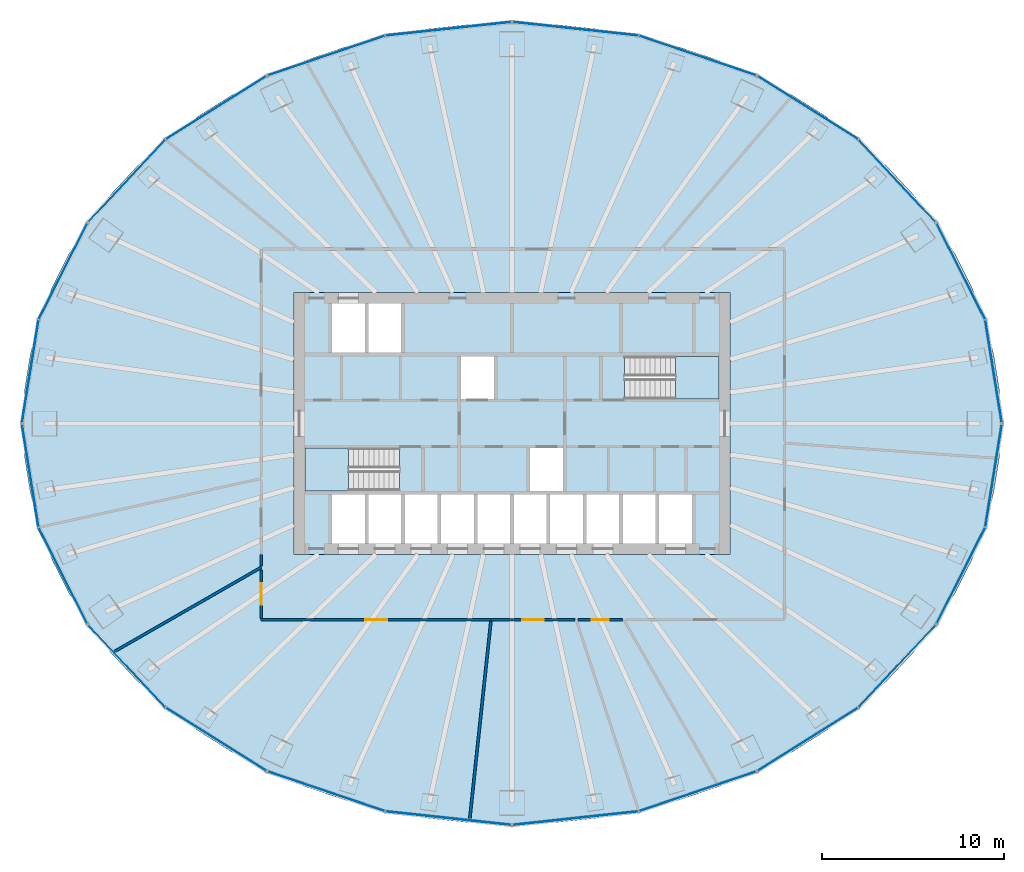
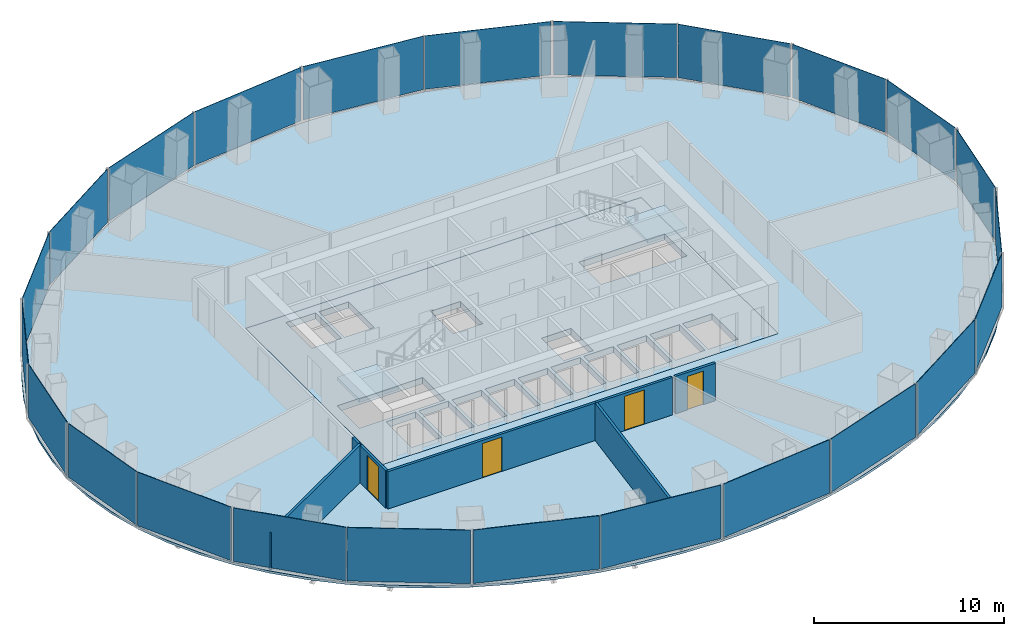
# One storey, part 7 of 11: 24 plates, 7 walls, 4 doors, 4 slabs, 4 openings, 14 elements without a shape of their own.
"""IFC4 building model written with IfcOpenShell, lengths in metres."""

from ifc_helpers import new_model, si_unit, direction, frame, frame_2d, origin, origin_2d, place, context, subcontext, project, spatial, polyline, rectangle, outline, extrude, material, layer, layer_set, type_object, element, fill, aggregate, save


model = new_model("IFC4")

# Units and contexts
model_context = context("Model", 3, precision=1e-05, world=origin(), true_north=direction((0.0, 1.0)))
body_context = subcontext(model_context, "Body", "Model", "MODEL_VIEW")
ifc_project = project(units=[si_unit("LENGTHUNIT", "METRE"), si_unit("AREAUNIT", "SQUARE_METRE"), si_unit("VOLUMEUNIT", "CUBIC_METRE"), si_unit("PLANEANGLEUNIT", "RADIAN"), si_unit("MASSUNIT", "GRAM", prefix="KILO")], contexts=[model_context])

# Site, building, storey
site_placement = place(None, origin())
site = spatial("IfcSite", under=ifc_project, at=site_placement, CompositionType="ELEMENT")
building_placement = place(site_placement, origin())
building = spatial("IfcBuilding", under=site, at=building_placement, Name="Siaravel Broadcast Tower", CompositionType="ELEMENT")
storey_placement = place(building_placement, frame((0.0, 0.0, 77.800048828125)))
storey = spatial("IfcBuildingStorey", under=building, at=storey_placement, Name="L18", CompositionType="ELEMENT", Elevation=77.800048828125)

# Curtain wall, plates
ifc_material_1 = material(Name="Aluminium 6063-T6", Category="aluminium")
ifc_layer_1 = layer(ifc_material_1, 0.219970703125)
ifc_layer_set_1 = layer_set([ifc_layer_1], Name="Aluminium 6063-T6")
curtain_wall_type = type_object("IfcCurtainWallType", Name="Unitised curtain wall, zone 1", PredefinedType="NOTDEFINED", material=ifc_layer_set_1)
curtain_wall_1_placement = place(storey_placement, origin())
curtain_wall_1 = element("IfcCurtainWall", 1, at=curtain_wall_1_placement, inside=storey, type_object=curtain_wall_type, Name="L18 Unitised curtain wall, zone 1 01", PredefinedType="NOTDEFINED")
ifc_material_2 = material(Name="Tinted laminated glass", Category="glass")
ifc_layer_2 = layer(ifc_material_2, 0.031982421875)
ifc_layer_set_2 = layer_set([ifc_layer_2], Name="Tinted laminated glass")
plate_type = type_object("IfcPlateType", Name="CW-Z1 glass panel", PredefinedType="CURTAIN_PANEL", material=ifc_layer_set_2)
plate_1_placement = place(storey_placement, frame((26.501220703125, 2.8779296875, 0.1201171875), z_axis=(0.0, 0.0, 1.0), x_axis=(-0.158685468, 0.987329186, 0.0)))
plate_1 = element("IfcPlate", 2, at=plate_1_placement, type_object=plate_type, Name="CW-Z1 glass panel", PredefinedType="CURTAIN_PANEL", context=body_context, shape_type="SweptSolid", body=[
    extrude(rectangle(XDim=5.689697265625, YDim=0.031982421875, at=origin_2d()), origin(), (0.0, 0.0, 1.0), 3.429931640625),
])
plate_2_placement = place(storey_placement, frame((24.704345703125, 8.370849609375, 0.1201171875), z_axis=(0.0, 0.0, 1.0), x_axis=(-0.451260668, 0.892392184, 0.0)))
plate_2 = element("IfcPlate", 3, at=plate_2_placement, type_object=plate_type, Name="CW-Z1 glass panel", PredefinedType="CURTAIN_PANEL", context=body_context, shape_type="SweptSolid", body=[
    extrude(rectangle(XDim=5.867919921875, YDim=0.031982421875, at=origin_2d()), origin(), (0.0, 0.0, 1.0), 3.429931640625),
])
aggregate(curtain_wall_1, [plate_1, plate_2])

curtain_wall_2_placement = place(storey_placement, origin())
curtain_wall_2 = element("IfcCurtainWall", 4, at=curtain_wall_2_placement, inside=storey, type_object=curtain_wall_type, Name="L18 Unitised curtain wall, zone 1 02", PredefinedType="NOTDEFINED")
plate_3_placement = place(storey_placement, frame((21.193603515625, 13.35205078125, 0.1201171875), z_axis=(0.0, 0.0, 1.0), x_axis=(-0.683654746, 0.729805583, 0.0)))
plate_3 = element("IfcPlate", 5, at=plate_3_placement, type_object=plate_type, Name="CW-Z1 glass panel", PredefinedType="CURTAIN_PANEL", context=body_context, shape_type="SweptSolid", body=[
    extrude(rectangle(XDim=6.16455078125, YDim=0.031982421875, at=origin_2d()), origin(), (0.0, 0.0, 1.0), 3.429931640625),
])
plate_4_placement = place(storey_placement, frame((16.28515625, 17.372802734375, 0.1201171875), z_axis=(0.0, 0.0, 1.0), x_axis=(-0.846650242, 0.532149761, 0.0)))
plate_4 = element("IfcPlate", 6, at=plate_4_placement, type_object=plate_type, Name="CW-Z1 glass panel", PredefinedType="CURTAIN_PANEL", context=body_context, shape_type="SweptSolid", body=[
    extrude(rectangle(XDim=6.49072265625, YDim=0.031982421875, at=origin_2d()), origin(), (0.0, 0.0, 1.0), 3.429931640625),
])
aggregate(curtain_wall_2, [plate_3, plate_4])

curtain_wall_3_placement = place(storey_placement, origin())
curtain_wall_3 = element("IfcCurtainWall", 7, at=curtain_wall_3_placement, inside=storey, type_object=curtain_wall_type, Name="L18 Unitised curtain wall, zone 1 03", PredefinedType="NOTDEFINED")
plate_5_placement = place(storey_placement, frame((10.210693359375, 20.24560546875, 0.1201171875), z_axis=(0.0, 0.0, 1.0), x_axis=(-0.946977085, 0.321301105, 0.0)))
plate_5 = element("IfcPlate", 8, at=plate_5_placement, type_object=plate_type, Name="CW-Z1 glass panel", PredefinedType="CURTAIN_PANEL", context=body_context, shape_type="SweptSolid", body=[
    extrude(rectangle(XDim=6.7607421875, YDim=0.031982421875, at=origin_2d()), origin(), (0.0, 0.0, 1.0), 3.429931640625),
])
plate_6_placement = place(storey_placement, frame((3.505615234375, 21.71728515625, 0.1201171875), z_axis=(0.0, 0.0, 1.0), x_axis=(-0.99423557, 0.107217679, 0.0)))
plate_6 = element("IfcPlate", 9, at=plate_6_placement, type_object=plate_type, Name="CW-Z1 glass panel", PredefinedType="CURTAIN_PANEL", context=body_context, shape_type="SweptSolid", body=[
    extrude(rectangle(XDim=6.911865234375, YDim=0.031982421875, at=origin_2d()), origin(), (0.0, 0.0, 1.0), 3.429931640625),
])
aggregate(curtain_wall_3, [plate_5, plate_6])

curtain_wall_4_placement = place(storey_placement, origin())
curtain_wall_4 = element("IfcCurtainWall", 10, at=curtain_wall_4_placement, inside=storey, type_object=curtain_wall_type, Name="L18 Unitised curtain wall, zone 1 04", PredefinedType="NOTDEFINED")
plate_7_placement = place(storey_placement, frame((-3.505615234375, 21.71728515625, 0.1201171875), z_axis=(0.0, 0.0, 1.0), x_axis=(-0.99423557, -0.107217679, 0.0)))
plate_7 = element("IfcPlate", 11, at=plate_7_placement, type_object=plate_type, Name="CW-Z1 glass panel", PredefinedType="CURTAIN_PANEL", context=body_context, shape_type="SweptSolid", body=[
    extrude(rectangle(XDim=6.911865234375, YDim=0.031982421875, at=origin_2d()), origin(), (0.0, 0.0, 1.0), 3.429931640625),
])
plate_8_placement = place(storey_placement, frame((-10.210693359375, 20.24560546875, 0.1201171875), z_axis=(0.0, 0.0, 1.0), x_axis=(-0.946977085, -0.321301105, 0.0)))
plate_8 = element("IfcPlate", 12, at=plate_8_placement, type_object=plate_type, Name="CW-Z1 glass panel", PredefinedType="CURTAIN_PANEL", context=body_context, shape_type="SweptSolid", body=[
    extrude(rectangle(XDim=6.7607421875, YDim=0.031982421875, at=origin_2d()), origin(), (0.0, 0.0, 1.0), 3.429931640625),
])
aggregate(curtain_wall_4, [plate_7, plate_8])

curtain_wall_5_placement = place(storey_placement, origin())
curtain_wall_5 = element("IfcCurtainWall", 13, at=curtain_wall_5_placement, inside=storey, type_object=curtain_wall_type, Name="L18 Unitised curtain wall, zone 1 05", PredefinedType="NOTDEFINED")
plate_9_placement = place(storey_placement, frame((-16.28515625, 17.372802734375, 0.1201171875), z_axis=(0.0, 0.0, 1.0), x_axis=(-0.846650242, -0.532149761, 0.0)))
plate_9 = element("IfcPlate", 14, at=plate_9_placement, type_object=plate_type, Name="CW-Z1 glass panel", PredefinedType="CURTAIN_PANEL", context=body_context, shape_type="SweptSolid", body=[
    extrude(rectangle(XDim=6.49072265625, YDim=0.031982421875, at=origin_2d()), origin(), (0.0, 0.0, 1.0), 3.429931640625),
])
plate_10_placement = place(storey_placement, frame((-21.193603515625, 13.35205078125, 0.1201171875), z_axis=(0.0, 0.0, 1.0), x_axis=(-0.683654746, -0.729805583, 0.0)))
plate_10 = element("IfcPlate", 15, at=plate_10_placement, type_object=plate_type, Name="CW-Z1 glass panel", PredefinedType="CURTAIN_PANEL", context=body_context, shape_type="SweptSolid", body=[
    extrude(rectangle(XDim=6.16455078125, YDim=0.031982421875, at=origin_2d()), origin(), (0.0, 0.0, 1.0), 3.429931640625),
])
aggregate(curtain_wall_5, [plate_9, plate_10])

curtain_wall_6_placement = place(storey_placement, origin())
curtain_wall_6 = element("IfcCurtainWall", 16, at=curtain_wall_6_placement, inside=storey, type_object=curtain_wall_type, Name="L18 Unitised curtain wall, zone 1 06", PredefinedType="NOTDEFINED")
plate_11_placement = place(storey_placement, frame((-24.704345703125, 8.370849609375, 0.1201171875), z_axis=(0.0, 0.0, 1.0), x_axis=(-0.451260668, -0.892392184, 0.0)))
plate_11 = element("IfcPlate", 17, at=plate_11_placement, type_object=plate_type, Name="CW-Z1 glass panel", PredefinedType="CURTAIN_PANEL", context=body_context, shape_type="SweptSolid", body=[
    extrude(rectangle(XDim=5.867919921875, YDim=0.031982421875, at=origin_2d()), origin(), (0.0, 0.0, 1.0), 3.429931640625),
])
plate_12_placement = place(storey_placement, frame((-26.501220703125, 2.8779296875, 0.1201171875), z_axis=(0.0, 0.0, 1.0), x_axis=(-0.158685468, -0.987329186, 0.0)))
plate_12 = element("IfcPlate", 18, at=plate_12_placement, type_object=plate_type, Name="CW-Z1 glass panel", PredefinedType="CURTAIN_PANEL", context=body_context, shape_type="SweptSolid", body=[
    extrude(rectangle(XDim=5.689697265625, YDim=0.031982421875, at=origin_2d()), origin(), (0.0, 0.0, 1.0), 3.429931640625),
])
aggregate(curtain_wall_6, [plate_11, plate_12])

curtain_wall_7_placement = place(storey_placement, origin())
curtain_wall_7 = element("IfcCurtainWall", 19, at=curtain_wall_7_placement, inside=storey, type_object=curtain_wall_type, Name="L18 Unitised curtain wall, zone 1 07", PredefinedType="NOTDEFINED")
plate_13_placement = place(storey_placement, frame((-26.501220703125, -2.8779296875, 0.1201171875), z_axis=(0.0, 0.0, 1.0), x_axis=(0.158685468, -0.987329186, 0.0)))
plate_13 = element("IfcPlate", 20, at=plate_13_placement, type_object=plate_type, Name="CW-Z1 glass panel", PredefinedType="CURTAIN_PANEL", context=body_context, shape_type="SweptSolid", body=[
    extrude(rectangle(XDim=5.689697265625, YDim=0.031982421875, at=origin_2d()), origin(), (0.0, 0.0, 1.0), 3.429931640625),
])
plate_14_placement = place(storey_placement, frame((-24.704345703125, -8.370849609375, 0.1201171875), z_axis=(0.0, 0.0, 1.0), x_axis=(0.451260668, -0.892392184, 0.0)))
plate_14 = element("IfcPlate", 21, at=plate_14_placement, type_object=plate_type, Name="CW-Z1 glass panel", PredefinedType="CURTAIN_PANEL", context=body_context, shape_type="SweptSolid", body=[
    extrude(rectangle(XDim=5.867919921875, YDim=0.031982421875, at=origin_2d()), origin(), (0.0, 0.0, 1.0), 3.429931640625),
])
aggregate(curtain_wall_7, [plate_13, plate_14])

curtain_wall_8_placement = place(storey_placement, origin())
curtain_wall_8 = element("IfcCurtainWall", 22, at=curtain_wall_8_placement, inside=storey, type_object=curtain_wall_type, Name="L18 Unitised curtain wall, zone 1 08", PredefinedType="NOTDEFINED")
plate_15_placement = place(storey_placement, frame((-21.193603515625, -13.35205078125, 0.1201171875), z_axis=(0.0, 0.0, 1.0), x_axis=(0.683654746, -0.729805583, 0.0)))
plate_15 = element("IfcPlate", 23, at=plate_15_placement, type_object=plate_type, Name="CW-Z1 glass panel", PredefinedType="CURTAIN_PANEL", context=body_context, shape_type="SweptSolid", body=[
    extrude(rectangle(XDim=6.16455078125, YDim=0.031982421875, at=origin_2d()), origin(), (0.0, 0.0, 1.0), 3.429931640625),
])
plate_16_placement = place(storey_placement, frame((-16.28515625, -17.372802734375, 0.1201171875), z_axis=(0.0, 0.0, 1.0), x_axis=(0.846650242, -0.532149761, 0.0)))
plate_16 = element("IfcPlate", 24, at=plate_16_placement, type_object=plate_type, Name="CW-Z1 glass panel", PredefinedType="CURTAIN_PANEL", context=body_context, shape_type="SweptSolid", body=[
    extrude(rectangle(XDim=6.49072265625, YDim=0.031982421875, at=origin_2d()), origin(), (0.0, 0.0, 1.0), 3.429931640625),
])
aggregate(curtain_wall_8, [plate_15, plate_16])

curtain_wall_9_placement = place(storey_placement, origin())
curtain_wall_9 = element("IfcCurtainWall", 25, at=curtain_wall_9_placement, inside=storey, type_object=curtain_wall_type, Name="L18 Unitised curtain wall, zone 1 09", PredefinedType="NOTDEFINED")
plate_17_placement = place(storey_placement, frame((-10.210693359375, -20.24560546875, 0.1201171875), z_axis=(0.0, 0.0, 1.0), x_axis=(0.946977085, -0.321301105, 0.0)))
plate_17 = element("IfcPlate", 26, at=plate_17_placement, type_object=plate_type, Name="CW-Z1 glass panel", PredefinedType="CURTAIN_PANEL", context=body_context, shape_type="SweptSolid", body=[
    extrude(rectangle(XDim=6.7607421875, YDim=0.031982421875, at=origin_2d()), origin(), (0.0, 0.0, 1.0), 3.429931640625),
])
plate_18_placement = place(storey_placement, frame((-3.505615234375, -21.71728515625, 0.1201171875), z_axis=(0.0, 0.0, 1.0), x_axis=(0.99423557, -0.107217679, 0.0)))
plate_18 = element("IfcPlate", 27, at=plate_18_placement, type_object=plate_type, Name="CW-Z1 glass panel", PredefinedType="CURTAIN_PANEL", context=body_context, shape_type="SweptSolid", body=[
    extrude(rectangle(XDim=6.911865234375, YDim=0.031982421875, at=origin_2d()), origin(), (0.0, 0.0, 1.0), 3.429931640625),
])
aggregate(curtain_wall_9, [plate_17, plate_18])

curtain_wall_10_placement = place(storey_placement, origin())
curtain_wall_10 = element("IfcCurtainWall", 28, at=curtain_wall_10_placement, inside=storey, type_object=curtain_wall_type, Name="L18 Unitised curtain wall, zone 1 10", PredefinedType="NOTDEFINED")
plate_19_placement = place(storey_placement, frame((3.505615234375, -21.71728515625, 0.1201171875), z_axis=(0.0, 0.0, 1.0), x_axis=(0.99423557, 0.107217679, 0.0)))
plate_19 = element("IfcPlate", 29, at=plate_19_placement, type_object=plate_type, Name="CW-Z1 glass panel", PredefinedType="CURTAIN_PANEL", context=body_context, shape_type="SweptSolid", body=[
    extrude(rectangle(XDim=6.911865234375, YDim=0.031982421875, at=origin_2d()), origin(), (0.0, 0.0, 1.0), 3.429931640625),
])
plate_20_placement = place(storey_placement, frame((10.210693359375, -20.24560546875, 0.1201171875), z_axis=(0.0, 0.0, 1.0), x_axis=(0.946977085, 0.321301105, 0.0)))
plate_20 = element("IfcPlate", 30, at=plate_20_placement, type_object=plate_type, Name="CW-Z1 glass panel", PredefinedType="CURTAIN_PANEL", context=body_context, shape_type="SweptSolid", body=[
    extrude(rectangle(XDim=6.7607421875, YDim=0.031982421875, at=origin_2d()), origin(), (0.0, 0.0, 1.0), 3.429931640625),
])
aggregate(curtain_wall_10, [plate_19, plate_20])

curtain_wall_11_placement = place(storey_placement, origin())
curtain_wall_11 = element("IfcCurtainWall", 31, at=curtain_wall_11_placement, inside=storey, type_object=curtain_wall_type, Name="L18 Unitised curtain wall, zone 1 11", PredefinedType="NOTDEFINED")
plate_21_placement = place(storey_placement, frame((16.28515625, -17.372802734375, 0.1201171875), z_axis=(0.0, 0.0, 1.0), x_axis=(0.846650242, 0.532149761, 0.0)))
plate_21 = element("IfcPlate", 32, at=plate_21_placement, type_object=plate_type, Name="CW-Z1 glass panel", PredefinedType="CURTAIN_PANEL", context=body_context, shape_type="SweptSolid", body=[
    extrude(rectangle(XDim=6.49072265625, YDim=0.031982421875, at=origin_2d()), origin(), (0.0, 0.0, 1.0), 3.429931640625),
])
plate_22_placement = place(storey_placement, frame((21.193603515625, -13.35205078125, 0.1201171875), z_axis=(0.0, 0.0, 1.0), x_axis=(0.683654746, 0.729805583, 0.0)))
plate_22 = element("IfcPlate", 33, at=plate_22_placement, type_object=plate_type, Name="CW-Z1 glass panel", PredefinedType="CURTAIN_PANEL", context=body_context, shape_type="SweptSolid", body=[
    extrude(rectangle(XDim=6.16455078125, YDim=0.031982421875, at=origin_2d()), origin(), (0.0, 0.0, 1.0), 3.429931640625),
])
aggregate(curtain_wall_11, [plate_21, plate_22])

curtain_wall_12_placement = place(storey_placement, origin())
curtain_wall_12 = element("IfcCurtainWall", 34, at=curtain_wall_12_placement, inside=storey, type_object=curtain_wall_type, Name="L18 Unitised curtain wall, zone 1 12", PredefinedType="NOTDEFINED")
plate_23_placement = place(storey_placement, frame((24.704345703125, -8.370849609375, 0.1201171875), z_axis=(0.0, 0.0, 1.0), x_axis=(0.451260668, 0.892392184, 0.0)))
plate_23 = element("IfcPlate", 35, at=plate_23_placement, type_object=plate_type, Name="CW-Z1 glass panel", PredefinedType="CURTAIN_PANEL", context=body_context, shape_type="SweptSolid", body=[
    extrude(rectangle(XDim=5.867919921875, YDim=0.031982421875, at=origin_2d()), origin(), (0.0, 0.0, 1.0), 3.429931640625),
])
plate_24_placement = place(storey_placement, frame((26.501220703125, -2.8779296875, 0.1201171875), z_axis=(0.0, 0.0, 1.0), x_axis=(0.158685468, 0.987329186, 0.0)))
plate_24 = element("IfcPlate", 36, at=plate_24_placement, type_object=plate_type, Name="CW-Z1 glass panel", PredefinedType="CURTAIN_PANEL", context=body_context, shape_type="SweptSolid", body=[
    extrude(rectangle(XDim=5.689697265625, YDim=0.031982421875, at=origin_2d()), origin(), (0.0, 0.0, 1.0), 3.429931640625),
])
aggregate(curtain_wall_12, [plate_23, plate_24])

# Slabs
ifc_material_3 = material(Name="Concrete C40/50", Category="concrete")
ifc_layer_3 = layer(ifc_material_3, 0.39990234375)
ifc_layer_set_3 = layer_set([ifc_layer_3], Name="Concrete C40/50")
slab_type_1 = type_object("IfcSlabType", Name="Core floor slab 400", PredefinedType="FLOOR", material=ifc_layer_set_3)
slab_1_placement = place(storey_placement, frame((0.0, 0.0, -0.400146484375)))
element("IfcSlab", 37, at=slab_1_placement, inside=storey, type_object=slab_type_1, Name="L18 core floor", PredefinedType="FLOOR", context=body_context, shape_type="SweptSolid", body=[
    extrude(outline(polyline([(-12.0, -7.199951171875), (-12.0, 7.199951171875), (12.0, 7.199951171875), (12.0, -7.199951171875), (-12.0, -7.199951171875)]), holes=[polyline([(11.3994140625, 1.3505859375), (11.3994140625, 3.699462890625), (6.200439453125, 3.699462890625), (6.200439453125, 1.3505859375), (11.3994140625, 1.3505859375)]), polyline([(9.89990234375, -3.89990234375), (8.10009765625, -3.89990234375), (8.10009765625, -6.60009765625), (9.89990234375, -6.60009765625), (9.89990234375, -3.89990234375)]), polyline([(7.89990234375, -3.89990234375), (6.10009765625, -3.89990234375), (6.10009765625, -6.60009765625), (7.89990234375, -6.60009765625), (7.89990234375, -3.89990234375)]), polyline([(5.89990234375, -3.89990234375), (4.10009765625, -3.89990234375), (4.10009765625, -6.60009765625), (5.89990234375, -6.60009765625), (5.89990234375, -3.89990234375)]), polyline([(3.89990234375, -3.89990234375), (2.10009765625, -3.89990234375), (2.10009765625, -6.60009765625), (3.89990234375, -6.60009765625), (3.89990234375, -3.89990234375)]), polyline([(2.800048828125, -1.35009765625), (1.0, -1.35009765625), (1.0, -3.699951171875), (2.800048828125, -3.699951171875), (2.800048828125, -1.35009765625)]), polyline([(1.89990234375, -3.89990234375), (0.10009765625, -3.89990234375), (0.10009765625, -6.60009765625), (1.89990234375, -6.60009765625), (1.89990234375, -3.89990234375)]), polyline([(-0.10009765625, -3.89990234375), (-1.89990234375, -3.89990234375), (-1.89990234375, -6.60009765625), (-0.10009765625, -6.60009765625), (-0.10009765625, -3.89990234375)]), polyline([(-1.0, 3.699951171875), (-2.800048828125, 3.699951171875), (-2.800048828125, 1.35009765625), (-1.0, 1.35009765625), (-1.0, 3.699951171875)]), polyline([(-2.10009765625, -3.89990234375), (-3.89990234375, -3.89990234375), (-3.89990234375, -6.60009765625), (-2.10009765625, -6.60009765625), (-2.10009765625, -3.89990234375)]), polyline([(-4.10009765625, -3.89990234375), (-5.89990234375, -3.89990234375), (-5.89990234375, -6.60009765625), (-4.10009765625, -6.60009765625), (-4.10009765625, -3.89990234375)]), polyline([(-6.10009765625, -3.89990234375), (-7.89990234375, -3.89990234375), (-7.89990234375, -6.60009765625), (-6.10009765625, -6.60009765625), (-6.10009765625, -3.89990234375)]), polyline([(-6.10009765625, 6.60009765625), (-7.89990234375, 6.60009765625), (-7.89990234375, 3.89990234375), (-6.10009765625, 3.89990234375), (-6.10009765625, 6.60009765625)]), polyline([(-11.3994140625, -1.3505859375), (-11.3994140625, -3.699462890625), (-6.200439453125, -3.699462890625), (-6.200439453125, -1.3505859375), (-11.3994140625, -1.3505859375)]), polyline([(-8.10009765625, -3.89990234375), (-9.89990234375, -3.89990234375), (-9.89990234375, -6.60009765625), (-8.10009765625, -6.60009765625), (-8.10009765625, -3.89990234375)]), polyline([(-8.10009765625, 6.60009765625), (-9.89990234375, 6.60009765625), (-9.89990234375, 3.89990234375), (-8.10009765625, 3.89990234375), (-8.10009765625, 6.60009765625)])]), origin(), (0.0, 0.0, 1.0), 0.400146484375),
])
ifc_layer_4 = layer(ifc_material_3, 0.14990234375)
ifc_layer_set_4 = layer_set([ifc_layer_4], Name="Concrete C40/50")
slab_type_2 = type_object("IfcSlabType", Name="SLB-FLOOR-150", PredefinedType="FLOOR", material=ifc_layer_set_4)
slab_2_placement = place(storey_placement, frame((0.0, 0.0, -0.150146484375)))
element("IfcSlab", 38, at=slab_2_placement, inside=storey, type_object=slab_type_2, Name="Floor slab", PredefinedType="FLOOR", context=body_context, shape_type="SweptSolid", body=[
    extrude(outline(polyline([(26.91357421875, 0.0), (26.811279296875, 1.92138671875), (26.504638671875, 3.828125), (25.99658203125, 5.705810546875), (25.29052734375, 7.539794921875), (24.39208984375, 9.316650390625), (23.307861328125, 11.022705078125), (22.04638671875, 12.644775390625), (20.616943359375, 14.17041015625), (19.03076171875, 15.58837890625), (17.2998046875, 16.8876953125), (15.43701171875, 18.05859375), (13.456787109375, 19.091796875), (11.374267578125, 19.979736328125), (9.205078125, 20.7158203125), (6.9658203125, 21.294189453125), (4.673583984375, 21.71044921875), (2.345703125, 21.96142578125), (0.0, 22.04541015625), (-2.345703125, 21.96142578125), (-4.673583984375, 21.71044921875), (-6.9658203125, 21.294189453125), (-9.205078125, 20.7158203125), (-11.374267578125, 19.979736328125), (-13.456787109375, 19.091796875), (-15.43701171875, 18.05859375), (-17.2998046875, 16.8876953125), (-19.03076171875, 15.58837890625), (-20.616943359375, 14.17041015625), (-22.04638671875, 12.644775390625), (-23.307861328125, 11.022705078125), (-24.39208984375, 9.316650390625), (-25.29052734375, 7.539794921875), (-25.99658203125, 5.705810546875), (-26.504638671875, 3.828125), (-26.811279296875, 1.92138671875), (-26.91357421875, 0.0), (-26.811279296875, -1.92138671875), (-26.504638671875, -3.828125), (-25.99658203125, -5.705810546875), (-25.29052734375, -7.539794921875), (-24.39208984375, -9.316650390625), (-23.307861328125, -11.022705078125), (-22.04638671875, -12.644775390625), (-20.616943359375, -14.17041015625), (-19.03076171875, -15.58837890625), (-17.2998046875, -16.8876953125), (-15.43701171875, -18.05859375), (-13.456787109375, -19.091796875), (-11.374267578125, -19.979736328125), (-9.205078125, -20.7158203125), (-6.9658203125, -21.294189453125), (-4.673583984375, -21.71044921875), (-2.345703125, -21.96142578125), (0.0, -22.04541015625), (2.345703125, -21.96142578125), (4.673583984375, -21.71044921875), (6.9658203125, -21.294189453125), (9.205078125, -20.7158203125), (11.374267578125, -19.979736328125), (13.456787109375, -19.091796875), (15.43701171875, -18.05859375), (17.2998046875, -16.8876953125), (19.03076171875, -15.58837890625), (20.616943359375, -14.17041015625), (22.04638671875, -12.644775390625), (23.307861328125, -11.022705078125), (24.39208984375, -9.316650390625), (25.29052734375, -7.539794921875), (25.99658203125, -5.705810546875), (26.504638671875, -3.828125), (26.811279296875, -1.92138671875), (26.91357421875, 0.0)]), holes=[polyline([(-12.0, 7.199951171875), (12.0, 7.199951171875), (12.0, -7.199951171875), (-12.0, -7.199951171875), (-12.0, 7.199951171875)])]), origin(), (0.0, 0.0, 1.0), 0.150146484375),
])

# Stair, slab
stair_type = type_object("IfcStairType", Name="Core exit stair", PredefinedType="HALF_TURN_STAIR", material=ifc_material_3)
stair_1_placement = place(storey_placement, origin())
stair_1 = element("IfcStair", 39, at=stair_1_placement, inside=storey, type_object=stair_type, Name="L18 Exit stair ST-1", PredefinedType="HALF_TURN_STAIR")
ifc_layer_5 = layer(ifc_material_3, 0.199951171875)
ifc_layer_set_5 = layer_set([ifc_layer_5], Name="Concrete C40/50")
slab_type_3 = type_object("IfcSlabType", Name="Stair landing", PredefinedType="LANDING", material=ifc_layer_set_5)
slab_3_placement = place(storey_placement, frame((0.0, 0.0, 1.64990234375)))
slab_3 = element("IfcSlab", 40, at=slab_3_placement, type_object=slab_type_3, Name="ST-1 landing 1", PredefinedType="LANDING", context=body_context, shape_type="SweptSolid", body=[
    extrude(outline(polyline([(-9.0, -1.35009765625), (-11.39990234375, -1.35009765625), (-11.39990234375, -3.699951171875), (-9.0, -3.699951171875), (-9.0, -1.35009765625)])), origin(), (0.0, 0.0, 1.0), 0.199951171875),
])
aggregate(stair_1, [slab_3])

stair_2_placement = place(storey_placement, origin())
stair_2 = element("IfcStair", 41, at=stair_2_placement, inside=storey, type_object=stair_type, Name="L18 Exit stair ST-2", PredefinedType="HALF_TURN_STAIR")
slab_4_placement = place(storey_placement, frame((0.0, 0.0, 1.64990234375)))
slab_4 = element("IfcSlab", 42, at=slab_4_placement, type_object=slab_type_3, Name="ST-2 landing 1", PredefinedType="LANDING", context=body_context, shape_type="SweptSolid", body=[
    extrude(outline(polyline([(9.0, 1.35009765625), (11.39990234375, 1.35009765625), (11.39990234375, 3.699951171875), (9.0, 3.699951171875), (9.0, 1.35009765625)])), origin(), (0.0, 0.0, 1.0), 0.199951171875),
])
aggregate(stair_2, [slab_4])

# Wall, opening, door
ifc_material_4 = material(Name="Gypsum board partition", Category="gypsum")
ifc_layer_6 = layer(ifc_material_4, 0.14990234375)
ifc_layer_set_6 = layer_set([ifc_layer_6], Name="Gypsum board partition")
wall_type_1 = type_object("IfcWallType", Name="Corridor wall 150", PredefinedType="PARTITIONING", material=ifc_layer_set_6)
wall_1_placement = place(storey_placement, frame((-13.800048828125, -10.800048828125, 0.0), z_axis=(0.0, 0.0, 1.0), x_axis=(1.0, 0.0, 0.0)))
wall_1 = element("IfcWall", 43, at=wall_1_placement, inside=storey, type_object=wall_type_1, Name="L18 partition 2", PredefinedType="PARTITIONING", context=body_context, shape_type="SweptSolid", body=[
    extrude(rectangle(XDim=12.646484375, YDim=0.14990234375, at=frame_2d((6.3232421875, 0.0))), origin(), (0.0, 0.0, 1.0), 2.39990234375),
])
opening_1_placement = place(wall_1_placement, frame((5.72314453125, 0.0, 0.0)))
opening_1 = element("IfcOpeningElement", 44, at=opening_1_placement, cuts=wall_1, Name="Opening L18-010", PredefinedType="OPENING", context=body_context, shape_type="SweptSolid", body=[
    extrude(rectangle(XDim=1.199951171875, YDim=2.199951171875, at=frame_2d((0.60009765625, 1.10009765625))), frame((0.0, 0.0849609375, 0.0), z_axis=(0.0, -1.0, 0.0), x_axis=(1.0, 0.0, 0.0)), (0.0, 0.0, 1.0), 0.169921875),
])
ifc_material_5 = material(Name="Timber veneer", Category="wood")
door_type_1 = type_object("IfcDoorType", Name="Office double door 1200", OperationType="DOUBLE_DOOR_SINGLE_SWING", PredefinedType="DOOR", material=ifc_material_5)
door_1_placement = place(opening_1_placement, origin())
door_1 = element("IfcDoor", 45, at=door_1_placement, inside=storey, type_object=door_type_1, Name="L18 door to Open plan newsroom", OperationType="DOUBLE_DOOR_SINGLE_SWING", OverallHeight=2.199951171875, OverallWidth=1.199951171875, PredefinedType="DOOR", context=body_context, shape_type="SweptSolid", body=[
    extrude(rectangle(XDim=1.199951171875, YDim=2.199951171875, at=frame_2d((0.60009765625, 1.10009765625))), frame((0.0, 0.02490234375, 0.0), z_axis=(0.0, -1.0, 0.0), x_axis=(1.0, 0.0, 0.0)), (0.0, 0.0, 1.0), 0.050048828125),
])
fill(opening_1, door_1)

wall_2_placement = place(storey_placement, frame((-1.152587890625, -10.800048828125, 0.0), z_axis=(0.0, 0.0, 1.0), x_axis=(1.0, 0.0, 0.0)))
wall_2 = element("IfcWall", 46, at=wall_2_placement, inside=storey, type_object=wall_type_1, Name="L18 partition 18", PredefinedType="PARTITIONING", context=body_context, shape_type="SweptSolid", body=[
    extrude(rectangle(XDim=4.6123046875, YDim=0.14990234375, at=frame_2d((2.30615234375, 0.0))), origin(), (0.0, 0.0, 1.0), 2.39990234375),
])
opening_2_placement = place(wall_2_placement, frame((1.7060546875, 0.0, 0.0)))
opening_2 = element("IfcOpeningElement", 47, at=opening_2_placement, cuts=wall_2, Name="Opening L18-012", PredefinedType="OPENING", context=body_context, shape_type="SweptSolid", body=[
    extrude(rectangle(XDim=1.199951171875, YDim=2.199951171875, at=frame_2d((0.60009765625, 1.10009765625))), frame((0.0, 0.0849609375, 0.0), z_axis=(0.0, -1.0, 0.0), x_axis=(1.0, 0.0, 0.0)), (0.0, 0.0, 1.0), 0.169921875),
])
door_2_placement = place(opening_2_placement, origin())
door_2 = element("IfcDoor", 48, at=door_2_placement, inside=storey, type_object=door_type_1, Name="L18 door to Newsroom desk office", OperationType="DOUBLE_DOOR_SINGLE_SWING", OverallHeight=2.199951171875, OverallWidth=1.199951171875, PredefinedType="DOOR", context=body_context, shape_type="SweptSolid", body=[
    extrude(rectangle(XDim=1.199951171875, YDim=2.199951171875, at=frame_2d((0.60009765625, 1.10009765625))), frame((0.0, 0.02490234375, 0.0), z_axis=(0.0, -1.0, 0.0), x_axis=(1.0, 0.0, 0.0)), (0.0, 0.0, 1.0), 0.050048828125),
])
fill(opening_2, door_2)

wall_3_placement = place(storey_placement, frame((-13.800048828125, -8.04638671875, 0.0), z_axis=(0.0, 0.0, 1.0), x_axis=(0.0, -1.0, 0.0)))
wall_3 = element("IfcWall", 49, at=wall_3_placement, inside=storey, type_object=wall_type_1, Name="L18 partition 21", PredefinedType="PARTITIONING", context=body_context, shape_type="SweptSolid", body=[
    extrude(rectangle(XDim=2.676513671875, YDim=0.14990234375, at=frame_2d((1.33837890625, 0.0))), origin(), (0.0, 0.0, 1.0), 2.39990234375),
])
opening_3_placement = place(wall_3_placement, frame((0.73828125, 0.0, 0.0)))
opening_3 = element("IfcOpeningElement", 50, at=opening_3_placement, cuts=wall_3, Name="Opening L18-011", PredefinedType="OPENING", context=body_context, shape_type="SweptSolid", body=[
    extrude(rectangle(XDim=1.199951171875, YDim=2.199951171875, at=frame_2d((0.60009765625, 1.10009765625))), frame((0.0, 0.0849609375, 0.0), z_axis=(0.0, -1.0, 0.0), x_axis=(1.0, 0.0, 0.0)), (0.0, 0.0, 1.0), 0.169921875),
])
door_3_placement = place(opening_3_placement, origin())
door_3 = element("IfcDoor", 51, at=door_3_placement, inside=storey, type_object=door_type_1, Name="L18 door to Open plan newsroom", OperationType="DOUBLE_DOOR_SINGLE_SWING", OverallHeight=2.199951171875, OverallWidth=1.199951171875, PredefinedType="DOOR", context=body_context, shape_type="SweptSolid", body=[
    extrude(rectangle(XDim=1.199951171875, YDim=2.199951171875, at=frame_2d((0.60009765625, 1.10009765625))), frame((0.0, 0.02490234375, 0.0), z_axis=(0.0, -1.0, 0.0), x_axis=(1.0, 0.0, 0.0)), (0.0, 0.0, 1.0), 0.050048828125),
])
fill(opening_3, door_3)

wall_4_placement = place(storey_placement, frame((3.638427734375, -10.800048828125, 0.0), z_axis=(0.0, 0.0, 1.0), x_axis=(1.0, 0.0, 0.0)))
wall_4 = element("IfcWall", 52, at=wall_4_placement, inside=storey, type_object=wall_type_1, Name="L18 partition 22", PredefinedType="PARTITIONING", context=body_context, shape_type="SweptSolid", body=[
    extrude(rectangle(XDim=2.442626953125, YDim=0.14990234375, at=frame_2d((1.22119140625, 0.0))), origin(), (0.0, 0.0, 1.0), 2.39990234375),
])
opening_4_placement = place(wall_4_placement, frame((0.746337890625, 0.0, 0.0)))
opening_4 = element("IfcOpeningElement", 53, at=opening_4_placement, cuts=wall_4, Name="Opening L18-013", PredefinedType="OPENING", context=body_context, shape_type="SweptSolid", body=[
    extrude(rectangle(XDim=0.949951171875, YDim=2.14990234375, at=frame_2d((0.47509765625, 1.074951171875))), frame((0.0, 0.0849609375, 0.0), z_axis=(0.0, -1.0, 0.0), x_axis=(1.0, 0.0, 0.0)), (0.0, 0.0, 1.0), 0.169921875),
])
door_type_2 = type_object("IfcDoorType", Name="Office door 950", OperationType="SINGLE_SWING_LEFT", PredefinedType="DOOR", material=ifc_material_5)
door_4_placement = place(opening_4_placement, origin())
door_4 = element("IfcDoor", 54, at=door_4_placement, inside=storey, type_object=door_type_2, Name="L18 door to Graphics studio", OperationType="SINGLE_SWING_LEFT", OverallHeight=2.14990234375, OverallWidth=0.949951171875, PredefinedType="DOOR", context=body_context, shape_type="SweptSolid", body=[
    extrude(rectangle(XDim=0.949951171875, YDim=2.14990234375, at=frame_2d((0.47509765625, 1.074951171875))), frame((0.0, 0.02490234375, 0.0), z_axis=(0.0, -1.0, 0.0), x_axis=(1.0, 0.0, 0.0)), (0.0, 0.0, 1.0), 0.050048828125),
])
fill(opening_4, door_4)

# Walls
wall_5_placement = place(storey_placement, frame((-13.800048828125, -7.212890625, 0.0), z_axis=(0.0, 0.0, 1.0), x_axis=(0.0, -1.0, 0.0)))
element("IfcWall", 55, at=wall_5_placement, inside=storey, type_object=wall_type_1, Name="L18 partition 26", PredefinedType="PARTITIONING", context=body_context, shape_type="SweptSolid", body=[
    extrude(rectangle(XDim=0.635009765625, YDim=0.14990234375, at=frame_2d((0.3173828125, 0.0))), origin(), (0.0, 0.0, 1.0), 2.39990234375),
])
ifc_layer_7 = layer(ifc_material_4, 0.14990234375)
ifc_layer_set_7 = layer_set([ifc_layer_7], Name="Gypsum board partition")
wall_type_2 = type_object("IfcWallType", Name="Room partition 150", PredefinedType="PARTITIONING", material=ifc_layer_set_7)
wall_6_placement = place(storey_placement, frame((-2.3330078125, -21.841796875, 0.0), z_axis=(0.0, 0.0, 1.0), x_axis=(0.106216283, 0.99434305, 0.0)))
element("IfcWall", 56, at=wall_6_placement, inside=storey, type_object=wall_type_2, Name="L18 partition 6", PredefinedType="PARTITIONING", context=body_context, shape_type="SweptSolid", body=[
    extrude(rectangle(XDim=11.01904296875, YDim=0.14990234375, at=frame_2d((5.509521484375, 0.0))), origin(), (0.0, 0.0, 1.0), 2.39990234375),
])
wall_7_placement = place(storey_placement, frame((-21.939453125, -12.58349609375, 0.0), z_axis=(0.0, 0.0, 1.0), x_axis=(0.867444641, 0.497533712, 0.0)))
element("IfcWall", 57, at=wall_7_placement, inside=storey, type_object=wall_type_2, Name="L18 partition 11", PredefinedType="PARTITIONING", context=body_context, shape_type="SweptSolid", body=[
    extrude(rectangle(XDim=9.38330078125, YDim=0.14990234375, at=frame_2d((4.691650390625, 0.0))), origin(), (0.0, 0.0, 1.0), 2.39990234375),
])

save(model, "model.ifc")
